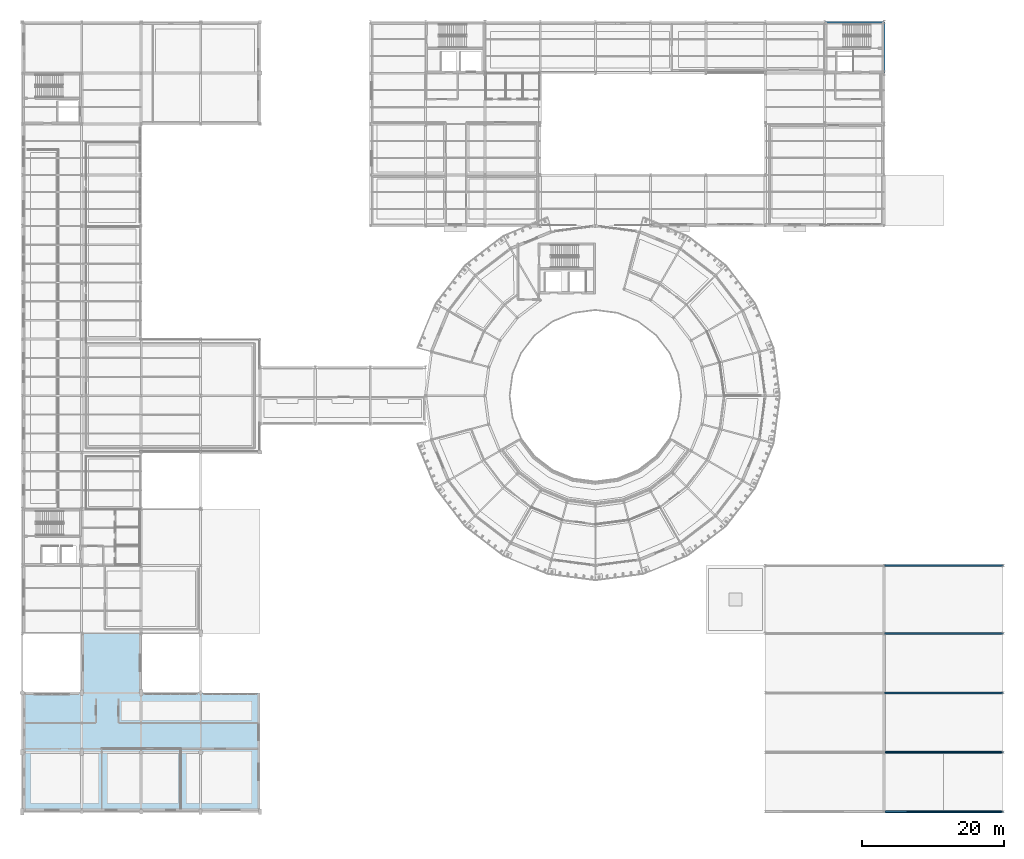
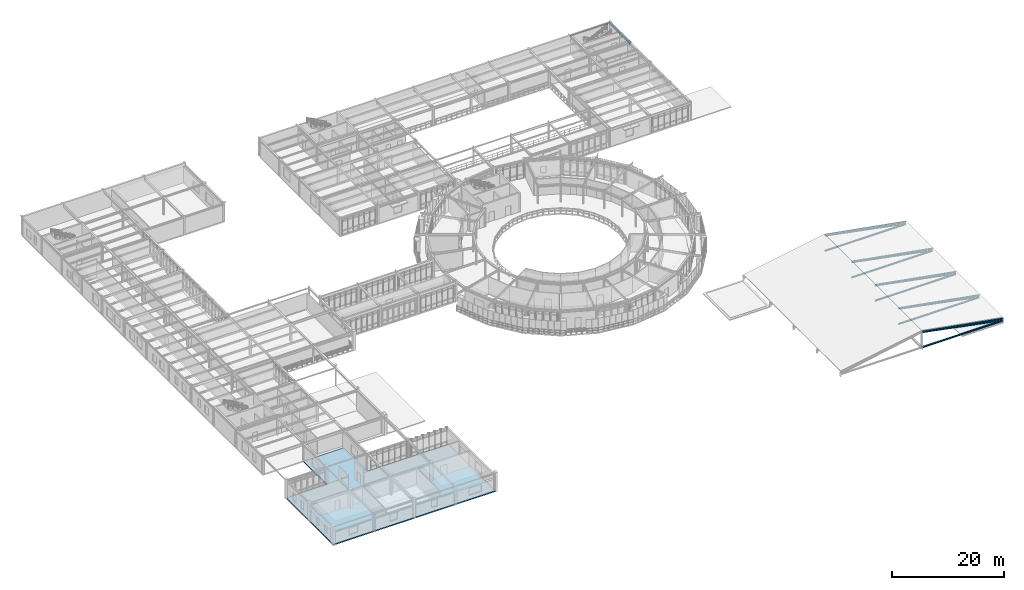
# One storey, part 56 of 90: 15 members, 2 beams, 1 slab.
"""IFC4 building model written with IfcOpenShell, lengths in metres."""

import ifcopenshell
import ifcopenshell.guid

model = None  # the IFC model being written
_history = None  # IfcOwnerHistory: only IFC2X3 demands one
_inside = {}  # id of a spatial element -> (the spatial element, [elements in it])
_under = {}  # id of a project, library or spatial element -> (it, [spatial elements below it])
_declared = {}  # id of a project -> (the project, [libraries it declares])
_typed = {}  # id of a type object -> (the type object, [elements of that type])
_made_of = {}  # id of a material, layer set ... -> (it, [elements and type objects made of it])


def new_model(schema):
    """Start an empty IFC model of exactly this schema.

    Asked for "IFC4X3", IfcOpenShell would pick the latest addendum, in which some entities
    have other attributes; the version numbers below select the first issue.
    IFC2X3 requires an IfcOwnerHistory on every rooted entity: one is made here for all.
    """
    global model, _history
    if schema == "IFC4X3":
        model = ifcopenshell.file(schema_version=(4, 3, 0, 0))
    else:
        model = ifcopenshell.file(schema=schema)
    _inside.clear()
    _under.clear()
    _declared.clear()
    _typed.clear()
    _made_of.clear()
    _history = None
    if model.schema == "IFC2X3":
        org = make("IfcOrganization", Name="unknown")
        user = make(
            "IfcPersonAndOrganization",
            ThePerson=make("IfcPerson", FamilyName="unknown"),
            TheOrganization=org,
        )
        app = make(
            "IfcApplication",
            ApplicationDeveloper=org,
            Version="unknown",
            ApplicationFullName="unknown",
            ApplicationIdentifier="unknown",
        )
        _history = make(
            "IfcOwnerHistory",
            OwningUser=user,
            OwningApplication=app,
            ChangeAction="ADDED",
            CreationDate=0,
        )
    return model


def make(cls, **values):
    """One entity of the class cls with the attributes given. An attribute that is None is left unset."""
    return model.create_entity(
        cls, **{name: value for name, value in values.items() if value is not None}
    )


def rooted(cls, **values):
    """An entity with a GlobalId (a new one), such as an element, a storey or a relation."""
    return make(cls, GlobalId=ifcopenshell.guid.new(), OwnerHistory=_history, **values)


def si_unit(unit_type, name, prefix=None):
    """IfcSIUnit, for example si_unit("LENGTHUNIT", "METRE", prefix="MILLI")."""
    return make("IfcSIUnit", UnitType=unit_type, Prefix=prefix, Name=name)


def derived_unit(unit_type, elements):
    """IfcDerivedUnit: a product of units, each with its exponent."""
    return make(
        "IfcDerivedUnit",
        Elements=[
            make("IfcDerivedUnitElement", Unit=unit, Exponent=power)
            for unit, power in elements
        ],
        UnitType=unit_type,
    )


def assignment(units):
    """IfcUnitAssignment: the units of a project."""
    return None if units is None else make("IfcUnitAssignment", Units=units)


def point(xyz):
    """IfcCartesianPoint."""
    return None if xyz is None else make("IfcCartesianPoint", Coordinates=xyz)


def direction(xyz):
    """IfcDirection."""
    return None if xyz is None else make("IfcDirection", DirectionRatios=xyz)


def frame(location, z_axis=None, x_axis=None):
    """IfcAxis2Placement3D, a coordinate frame: its origin and axes. An axis left out is left unset."""
    return make(
        "IfcAxis2Placement3D",
        Location=point(location),
        Axis=direction(z_axis),
        RefDirection=direction(x_axis),
    )


def frame_2d(location, x_axis=None):
    """IfcAxis2Placement2D, a coordinate frame in the plane: its origin and x axis."""
    return make(
        "IfcAxis2Placement2D", Location=point(location), RefDirection=direction(x_axis)
    )


def origin():
    """The frame at (0, 0, 0) with its axes left unset."""
    return frame((0.0, 0.0, 0.0))


def origin_2d():
    """The frame at (0, 0) in the plane with its x axis left unset."""
    return frame_2d((0.0, 0.0))


def place(relative_to, where):
    """IfcLocalPlacement: puts the frame where relative to a parent placement (None: the world)."""
    return make(
        "IfcLocalPlacement", PlacementRelTo=relative_to, RelativePlacement=where
    )


def context(
    kind, dimensions, precision=None, world=None, true_north=None, identifier=None
):
    """IfcGeometricRepresentationContext, for example the 3D "Model" context."""
    return make(
        "IfcGeometricRepresentationContext",
        ContextIdentifier=identifier,
        ContextType=kind,
        CoordinateSpaceDimension=dimensions,
        Precision=precision,
        WorldCoordinateSystem=world,
        TrueNorth=true_north,
    )


def subcontext(parent, identifier, kind, view, scale=None):
    """IfcGeometricRepresentationSubContext, for example "Body" below "Model"."""
    return make(
        "IfcGeometricRepresentationSubContext",
        ContextIdentifier=identifier,
        ContextType=kind,
        ParentContext=parent,
        TargetScale=scale,
        TargetView=view,
    )


def project(units=None, contexts=None):
    """IfcProject with its units and contexts."""
    return rooted(
        "IfcProject",
        Name="project",
        RepresentationContexts=contexts,
        UnitsInContext=assignment(units),
    )


def spatial(cls, under=None, at=None, **own):
    """A site, building, storey or space (cls), placed at a placement, below another one or the project."""
    s = rooted(cls, ObjectPlacement=at, **own)
    if under is not None:
        _under.setdefault(under.id(), (under, []))[1].append(s)
    return s


def polyline(points):
    """IfcPolyline through the points."""
    return make("IfcPolyline", Points=[point(p) for p in points])


def profile(cls, at=None, kind="AREA", **sizes):
    """A parametric profile (cls). Its sizes go by their IFC names, for example OverallWidth=200.0."""
    return make(cls, ProfileType=kind, Position=at, **sizes)


def hollow_rectangle(**sizes):
    """IfcRectangleHollowProfileDef."""
    return profile("IfcRectangleHollowProfileDef", **sizes)


def i_section(**sizes):
    """IfcIShapeProfileDef."""
    return profile("IfcIShapeProfileDef", **sizes)


def outline(outer, holes=None, kind="AREA"):
    """IfcArbitraryClosedProfileDef: a profile drawn as a closed curve; with holes, ...WithVoids."""
    if holes is None:
        return make("IfcArbitraryClosedProfileDef", ProfileType=kind, OuterCurve=outer)
    return make(
        "IfcArbitraryProfileDefWithVoids",
        ProfileType=kind,
        OuterCurve=outer,
        InnerCurves=holes,
    )


def extrude(swept, where, along, depth):
    """IfcExtrudedAreaSolid: the profile swept, set in the frame where, extruded along a direction by depth."""
    return make(
        "IfcExtrudedAreaSolid",
        SweptArea=swept,
        Position=where,
        ExtrudedDirection=direction(along),
        Depth=depth,
    )


def shape(context_of_items, identifier, shape_type, items):
    """IfcShapeRepresentation: the items that make up one representation, for example the "Body"."""
    return make(
        "IfcShapeRepresentation",
        ContextOfItems=context_of_items,
        RepresentationIdentifier=identifier,
        RepresentationType=shape_type,
        Items=items,
    )


def material(Name=None, Category=None):
    """IfcMaterial."""
    return make("IfcMaterial", Name=Name, Category=Category)


def layer(
    of_material, thickness, ventilated=None, Name=None, Category=None, Priority=None
):
    """IfcMaterialLayer: one layer of a wall or slab, of a material (None: an air gap)."""
    return make(
        "IfcMaterialLayer",
        Material=of_material,
        LayerThickness=thickness,
        IsVentilated=ventilated,
        Name=Name,
        Category=Category,
        Priority=Priority,
    )


def layer_set(layers, Name=None):
    """IfcMaterialLayerSet."""
    return make("IfcMaterialLayerSet", MaterialLayers=layers, LayerSetName=Name)


def material_profile(
    of_material, cross_section, Name=None, Category=None, Priority=None
):
    """IfcMaterialProfile: a cross section and its material."""
    return make(
        "IfcMaterialProfile",
        Name=Name,
        Material=of_material,
        Profile=cross_section,
        Priority=Priority,
        Category=Category,
    )


def profile_set(profiles, Name=None, composite=None):
    """IfcMaterialProfileSet."""
    return make(
        "IfcMaterialProfileSet",
        Name=Name,
        MaterialProfiles=profiles,
        CompositeProfile=composite,
    )


def made_of(thing, what):
    """Note that an element or type object is made of a material, layer set ...; save() writes the relation."""
    if what is not None:
        _made_of.setdefault(what.id(), (what, []))[1].append(thing)
    return thing


def type_object(cls, material=None, **own):
    """A type object (cls), such as IfcWallType, which elements share."""
    return made_of(rooted(cls, **own), material)


def element(
    cls,
    number,
    at=None,
    inside=None,
    cuts=None,
    type_object=None,
    material=None,
    context=None,
    identifier="Body",
    shape_type=None,
    held_by="IfcProductDefinitionShape",
    body=None,
    shapes=None,
    **own,
):
    """One element of the class cls, such as IfcWall. Its Tag is "e" and its number.

    at: its placement. inside: the storey or other place that contains it. cuts: it is an
    opening in that element (IfcRelVoidsElement). A single representation is given by context,
    identifier, shape_type and body (its items); several are given by shapes. held_by: the class
    of the entity that holds the representations. save() writes the other relations.
    """
    e = rooted(cls, Tag="e%d" % number, ObjectPlacement=at, **own)
    if body is not None:
        shapes = [shape(context, identifier, shape_type, body)]
    if shapes is not None:
        e.Representation = make(held_by, Representations=shapes)
    if inside is not None:
        _inside.setdefault(inside.id(), (inside, []))[1].append(e)
    if cuts is not None:
        rooted(
            "IfcRelVoidsElement", RelatingBuildingElement=cuts, RelatedOpeningElement=e
        )
    if type_object is not None:
        _typed.setdefault(type_object.id(), (type_object, []))[1].append(e)
    return made_of(e, material)


def aggregate(whole, parts):
    """IfcRelAggregates: a whole, such as a stair, and the parts it consists of."""
    return rooted("IfcRelAggregates", RelatingObject=whole, RelatedObjects=parts)


def save(model, path):
    """Write the relations noted so far, then the file.

    IfcRelAggregates (storeys below a building ...), IfcRelContainedInSpatialStructure (elements
    in a storey), IfcRelDefinesByType, IfcRelAssociatesMaterial and IfcRelDeclares: one each for
    every whole, place, type object, material and project.
    """
    for whole, parts in _under.values():
        aggregate(whole, parts)
    for where, things in _inside.values():
        rooted(
            "IfcRelContainedInSpatialStructure",
            RelatedElements=things,
            RelatingStructure=where,
        )
    for kind, things in _typed.values():
        rooted("IfcRelDefinesByType", RelatedObjects=things, RelatingType=kind)
    for what, things in _made_of.values():
        rooted("IfcRelAssociatesMaterial", RelatedObjects=things, RelatingMaterial=what)
    for by, libraries in _declared.values():
        rooted("IfcRelDeclares", RelatingContext=by, RelatedDefinitions=libraries)
    model.write(path)


model = new_model("IFC4")

# Units and contexts
model_context = context("Model", 3, precision=1e-05, world=origin(), true_north=direction((0.0, 1.0)))
body_context = subcontext(model_context, "Body", "Model", "MODEL_VIEW")
ifc_project = project(units=[si_unit("LENGTHUNIT", "METRE"), si_unit("AREAUNIT", "SQUARE_METRE"), si_unit("VOLUMEUNIT", "CUBIC_METRE"), si_unit("PLANEANGLEUNIT", "RADIAN"), si_unit("MASSUNIT", "GRAM", prefix="KILO"), derived_unit("THERMALTRANSMITTANCEUNIT", [(si_unit("POWERUNIT", "WATT"), 1), (si_unit("AREAUNIT", "SQUARE_METRE"), -1), (si_unit("THERMODYNAMICTEMPERATUREUNIT", "KELVIN"), -1)])], contexts=[model_context])

# Site, building, storey
site_placement = place(None, origin())
site = spatial("IfcSite", under=ifc_project, at=site_placement, CompositionType="ELEMENT")
building_placement = place(site_placement, origin())
building = spatial("IfcBuilding", under=site, at=building_placement, Name="Yasenodar Specialist Clinic", CompositionType="ELEMENT")
storey_placement = place(building_placement, frame((0.0, 0.0, 9.0)))
storey = spatial("IfcBuildingStorey", under=building, at=storey_placement, Name="L02", CompositionType="ELEMENT", Elevation=9.0)

# Beams
ifc_material_1 = material(Name="Steel S355", Category="steel")
ifc_material_profile_1 = material_profile(ifc_material_1, i_section(OverallWidth=0.300048828125, OverallDepth=0.449951171875, WebThickness=0.013916015625, FlangeThickness=0.02587890625, FilletRadius=0.027099609375, at=origin_2d()), Name="HEB 450")
ifc_profile_set_1 = profile_set([ifc_material_profile_1], Name="Steel S355")
beam_type_1 = type_object("IfcBeamType", Name="BM-HEB450", PredefinedType="BEAM", material=ifc_profile_set_1)
beam_1_placement = place(storey_placement, frame((121.800048828125, 104.39990234375, 3.72509765625), z_axis=(0.0, 1.0, 0.0), x_axis=(-1.0, 0.0, 0.0)))
element("IfcBeam", 1, at=beam_1_placement, inside=storey, type_object=beam_type_1, Name="L02 Primary N-S Girder", PredefinedType="BEAM", context=body_context, shape_type="SweptSolid", body=[
    extrude(i_section(OverallWidth=0.300048828125, OverallDepth=0.449951171875, WebThickness=0.013916015625, FlangeThickness=0.02587890625, FilletRadius=0.027099609375, at=origin_2d()), origin(), (0.0, 0.0, 1.0), 7.2001953125),
])
ifc_material_profile_2 = material_profile(ifc_material_1, hollow_rectangle(XDim=0.14990234375, YDim=0.25, WallThickness=0.010009765625, InnerFilletRadius=0.014892578125, OuterFilletRadius=0.02490234375, at=origin_2d()), Name="RHS 250x150x10")
ifc_profile_set_2 = profile_set([ifc_material_profile_2], Name="Steel S355")
beam_type_2 = type_object("IfcBeamType", Name="SP-RHS250", PredefinedType="SPANDREL", material=ifc_profile_set_2)
beam_2_placement = place(storey_placement, frame((113.39990234375, 111.60009765625, 3.824951171875), z_axis=(1.0, 0.0, 0.0), x_axis=(0.0, 1.0, 0.0)))
element("IfcBeam", 2, at=beam_2_placement, inside=storey, type_object=beam_type_2, Name="L02 Perimeter Spandrel Beam", PredefinedType="SPANDREL", context=body_context, shape_type="SweptSolid", body=[
    extrude(hollow_rectangle(XDim=0.14990234375, YDim=0.25, WallThickness=0.010009765625, InnerFilletRadius=0.014892578125, OuterFilletRadius=0.02490234375, at=origin_2d()), origin(), (0.0, 0.0, 1.0), 8.400146484375),
])

# Members
ifc_material_profile_3 = material_profile(ifc_material_1, hollow_rectangle(XDim=0.10009765625, YDim=0.199951171875, WallThickness=0.008056640625, InnerFilletRadius=0.011962890625, OuterFilletRadius=0.02001953125, at=origin_2d()), Name="RHS 200x100x8")
ifc_profile_set_3 = profile_set([ifc_material_profile_3], Name="Steel S355")
member_type_1 = type_object("IfcMemberType", Name="TR-BRC-RHS200", PredefinedType="BRACE", material=ifc_profile_set_3)
for number, where, z_axis, x_axis, name in (
    (3, (138.60009765625, 0.0, 0.449951171875), (-0.981982039791, 0.0, 0.188974266842), (0.0, -1.0, 0.0), "V3 Conservatory Truss Diagonal 1E"),
    (4, (138.60009765625, 8.39990234375, 0.449951171875), (-0.981982039791, 0.0, 0.188974266842), (0.0, -1.0, 0.0), "V3 Conservatory Truss Diagonal 2E"),
    (5, (138.60009765625, 16.800048828125, 0.449951171875), (-0.981982039791, 0.0, 0.188974266842), (0.0, -1.0, 0.0), "V3 Conservatory Truss Diagonal 3E"),
    (6, (138.60009765625, 25.199951171875, 0.449951171875), (-0.981982039791, 0.0, 0.188974266842), (0.0, -1.0, 0.0), "V3 Conservatory Truss Diagonal 4E"),
    (7, (138.60009765625, 34.800048828125, 0.449951171875), (-0.981982039791, 0.0, 0.188974266842), (0.0, -1.0, 0.0), "V3 Conservatory Truss Diagonal 5E"),
):
    element("IfcMember", number, at=place(storey_placement, frame(where, z_axis=z_axis, x_axis=x_axis)), inside=storey, type_object=member_type_1, Name=name, PredefinedType="BRACE", context=body_context, shape_type="SweptSolid", body=[
        extrude(hollow_rectangle(XDim=0.10009765625, YDim=0.199951171875, WallThickness=0.008056640625, InnerFilletRadius=0.011962890625, OuterFilletRadius=0.02001953125, at=origin_2d()), origin(), (0.0, 0.0, 1.0), 16.986328125),
    ])
ifc_material_profile_4 = material_profile(ifc_material_1, i_section(OverallWidth=0.280029296875, OverallDepth=0.27001953125, WebThickness=0.008056640625, FlangeThickness=0.012939453125, FilletRadius=0.02392578125, at=origin_2d()), Name="HEA 280")
ifc_profile_set_4 = profile_set([ifc_material_profile_4], Name="Steel S355")
member_type_2 = type_object("IfcMemberType", Name="TR-CHD-HEA280", PredefinedType="CHORD", material=ifc_profile_set_4)
for number, where, z_axis, x_axis, name in (
    (8, (121.800048828125, 0.0, 0.449951171875), (1.0, 0.0, 0.0), (0.0, 1.0, 0.0), "V3 Conservatory Tie Chord 1E"),
    (9, (121.800048828125, 8.39990234375, 0.449951171875), (1.0, 0.0, 0.0), (0.0, 1.0, 0.0), "V3 Conservatory Tie Chord 2E"),
    (10, (121.800048828125, 16.800048828125, 0.449951171875), (1.0, 0.0, 0.0), (0.0, 1.0, 0.0), "V3 Conservatory Tie Chord 3E"),
    (11, (121.800048828125, 25.199951171875, 0.449951171875), (1.0, 0.0, 0.0), (0.0, 1.0, 0.0), "V3 Conservatory Tie Chord 4E"),
    (12, (121.800048828125, 34.800048828125, 0.449951171875), (1.0, 0.0, 0.0), (0.0, 1.0, 0.0), "V3 Conservatory Tie Chord 5E"),
):
    element("IfcMember", number, at=place(storey_placement, frame(where, z_axis=z_axis, x_axis=x_axis)), inside=storey, type_object=member_type_2, Name=name, PredefinedType="CHORD", context=body_context, shape_type="SweptSolid", body=[
        extrude(i_section(OverallWidth=0.280029296875, OverallDepth=0.27001953125, WebThickness=0.008056640625, FlangeThickness=0.012939453125, FilletRadius=0.02392578125, at=origin_2d()), origin(), (0.0, 0.0, 1.0), 16.800048828125),
    ])
ifc_material_profile_5 = material_profile(ifc_material_1, i_section(OverallWidth=0.300048828125, OverallDepth=0.300048828125, WebThickness=0.010986328125, FlangeThickness=0.01904296875, FilletRadius=0.027099609375, at=origin_2d()), Name="HEB 300")
ifc_profile_set_5 = profile_set([ifc_material_profile_5], Name="Steel S355")
member_type_3 = type_object("IfcMemberType", Name="TR-CHD-HEB300", PredefinedType="CHORD", material=ifc_profile_set_5)
for number, where, z_axis, x_axis, name in (
    (13, (138.60009765625, 0.0, 0.8798828125), (-0.984427663925, 0.0, 0.17579014335), (0.0, -1.0, 0.0), "V3 Conservatory Pitched Rafter 1E"),
    (14, (138.60009765625, 8.39990234375, 0.8798828125), (-0.984427663925, 0.0, 0.17579014335), (0.0, -1.0, 0.0), "V3 Conservatory Pitched Rafter 2E"),
    (15, (138.60009765625, 16.800048828125, 0.8798828125), (-0.984427663925, 0.0, 0.17579014335), (0.0, -1.0, 0.0), "V3 Conservatory Pitched Rafter 3E"),
    (16, (138.60009765625, 25.199951171875, 0.8798828125), (-0.984427663925, 0.0, 0.17579014335), (0.0, -1.0, 0.0), "V3 Conservatory Pitched Rafter 4E"),
    (17, (138.60009765625, 34.800048828125, 0.8798828125), (-0.984427663925, 0.0, 0.17579014335), (0.0, -1.0, 0.0), "V3 Conservatory Pitched Rafter 5E"),
):
    element("IfcMember", number, at=place(storey_placement, frame(where, z_axis=z_axis, x_axis=x_axis)), inside=storey, type_object=member_type_3, Name=name, PredefinedType="CHORD", context=body_context, shape_type="SweptSolid", body=[
        extrude(i_section(OverallWidth=0.300048828125, OverallDepth=0.300048828125, WebThickness=0.010986328125, FlangeThickness=0.01904296875, FilletRadius=0.027099609375, at=origin_2d()), origin(), (0.0, 0.0, 1.0), 17.06591796875),
    ])

# Slab
ifc_material_2 = material(Name="Concrete C30/37", Category="concrete")
ifc_layer = layer(ifc_material_2, 0.25)
ifc_layer_set = layer_set([ifc_layer], Name="Concrete C30/37")
slab_type = type_object("IfcSlabType", Name="SLB-FLR-250", PredefinedType="FLOOR", material=ifc_layer_set)
slab_placement = place(storey_placement, frame((0.0, 0.0, -0.25)))
element("IfcSlab", 18, at=slab_placement, inside=storey, type_object=slab_type, Name="L02 V2 structural slab", PredefinedType="FLOOR", context=body_context, shape_type="SweptSolid", body=[
    extrude(outline(polyline([(0.0, 16.800048828125), (8.39990234375, 16.800048828125), (8.39990234375, 25.199951171875), (16.800048828125, 25.199951171875), (16.800048828125, 16.800048828125), (33.60009765625, 16.800048828125), (33.60009765625, 0.0), (0.0, 0.0), (0.0, 16.800048828125)])), origin(), (0.0, 0.0, 1.0), 0.25),
])

save(model, "model.ifc")
